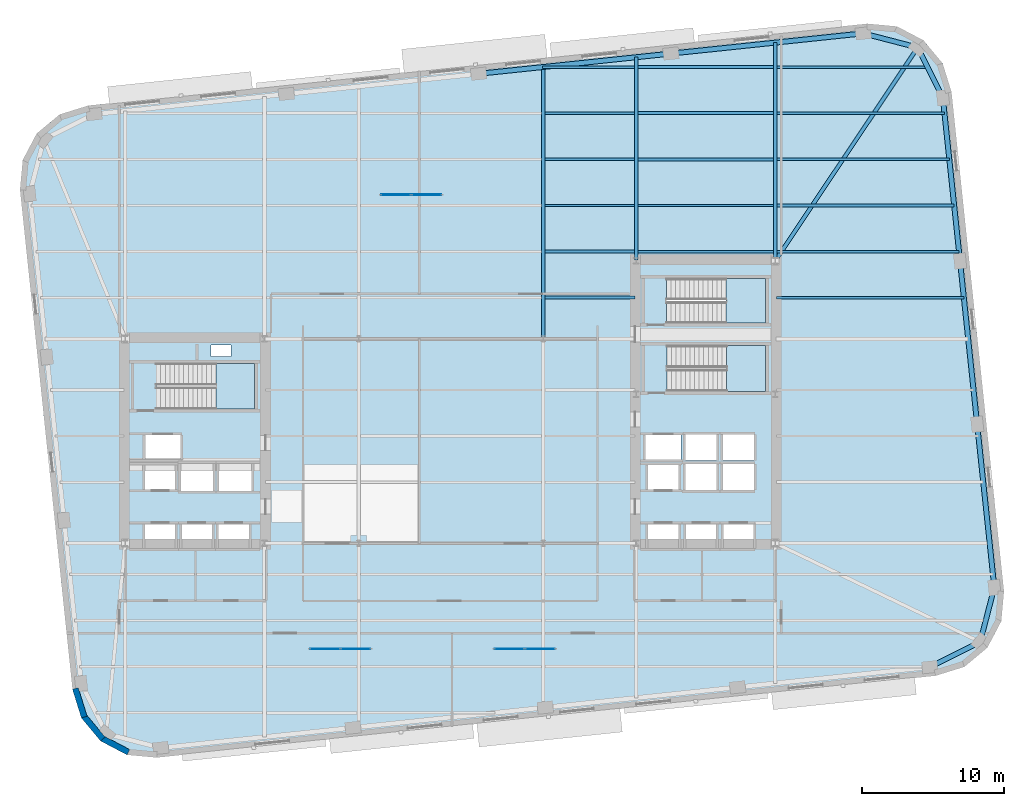
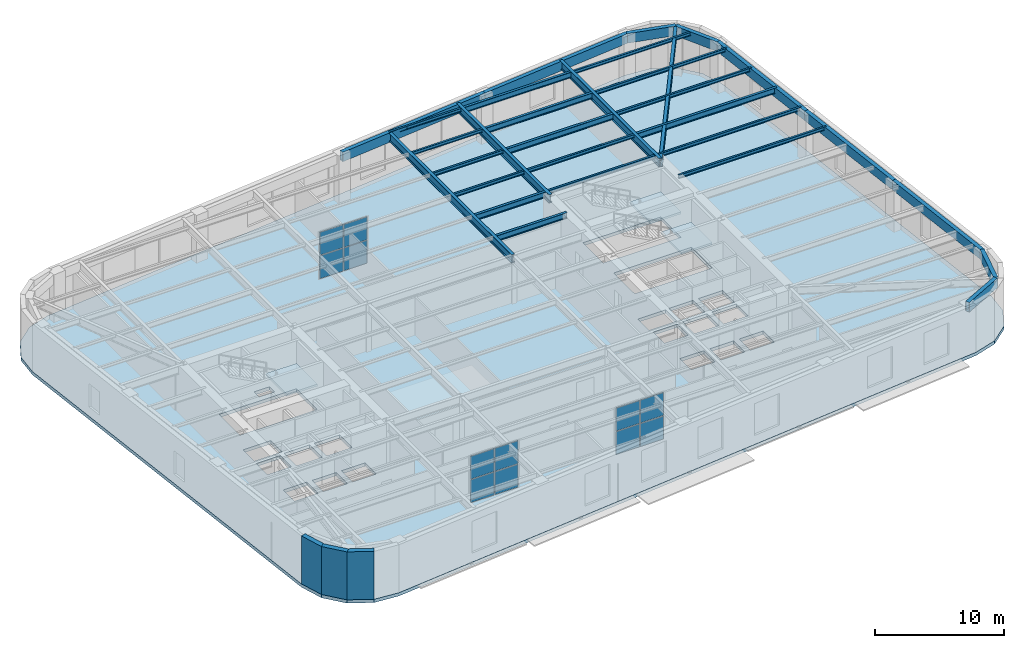
# One storey, part 6 of 14: 30 beams, 12 plates, 4 slabs, 3 walls, 6 elements without a shape of their own.
"""IFC4 building model written with IfcOpenShell, lengths in metres."""

from ifc_helpers import new_model, si_unit, direction, frame, frame_2d, origin, origin_2d, place, context, subcontext, project, spatial, polyline, rectangle, hollow_rectangle, i_section, outline, extrude, material, layer, layer_set, material_profile, profile_set, type_object, element, aggregate, save


model = new_model("IFC4")

# Units and contexts
model_context = context("Model", 3, precision=1e-05, world=origin(), true_north=direction((0.0, 1.0)))
body_context = subcontext(model_context, "Body", "Model", "MODEL_VIEW")
ifc_project = project(units=[si_unit("LENGTHUNIT", "METRE"), si_unit("AREAUNIT", "SQUARE_METRE"), si_unit("VOLUMEUNIT", "CUBIC_METRE"), si_unit("PLANEANGLEUNIT", "RADIAN"), si_unit("MASSUNIT", "GRAM", prefix="KILO")], contexts=[model_context])

# Site, building, storey
site_placement = place(None, origin())
site = spatial("IfcSite", under=ifc_project, at=site_placement, CompositionType="ELEMENT")
building_placement = place(site_placement, origin())
building = spatial("IfcBuilding", under=site, at=building_placement, Name="Kolvaren Arena Tower", CompositionType="ELEMENT")
storey_placement = place(building_placement, frame((0.0, 0.0, 125.949951171875)))
storey = spatial("IfcBuildingStorey", under=building, at=storey_placement, Name="L29", CompositionType="ELEMENT", Elevation=125.949951171875)

# Beams
ifc_material_1 = material(Name="Steel CSA G40.21 350W", Category="steel")
ifc_material_profile_1 = material_profile(ifc_material_1, i_section(OverallWidth=0.2119140625, OverallDepth=0.54296875, WebThickness=0.01318359375, FlangeThickness=0.0244140625, FilletRadius=0.013916015625, at=origin_2d()), Name="W530x150")
ifc_profile_set_1 = profile_set([ifc_material_profile_1], Name="Steel CSA G40.21 350W")
beam_type_1 = type_object("IfcBeamType", Name="BEAM-F1", PredefinedType="BEAM", material=ifc_profile_set_1)
beam_1_placement = place(storey_placement, frame((44.135009765625, 36.75, 4.258544921875), z_axis=(1.0, 0.0, 0.0), x_axis=(0.0, 1.0, 0.0)))
element("IfcBeam", 1, at=beam_1_placement, inside=storey, type_object=beam_type_1, Name="Composite Floor Beam (L29)", PredefinedType="BEAM", context=body_context, shape_type="SweptSolid", body=[
    extrude(i_section(OverallWidth=0.2119140625, OverallDepth=0.54296875, WebThickness=0.01318359375, FlangeThickness=0.0244140625, FilletRadius=0.013916015625, at=origin_2d()), origin(), (0.0, 0.0, 1.0), 6.320068359375),
])
beam_2_placement = place(storey_placement, frame((44.135009765625, 40.0, 4.258544921875), z_axis=(1.0, 0.0, 0.0), x_axis=(0.0, 1.0, 0.0)))
element("IfcBeam", 2, at=beam_2_placement, inside=storey, type_object=beam_type_1, Name="Composite Floor Beam (L29)", PredefinedType="BEAM", context=body_context, shape_type="SweptSolid", body=[
    extrude(i_section(OverallWidth=0.2119140625, OverallDepth=0.54296875, WebThickness=0.01318359375, FlangeThickness=0.0244140625, FilletRadius=0.013916015625, at=origin_2d()), origin(), (0.0, 0.0, 1.0), 6.280029296875),
])
beam_3_placement = place(storey_placement, frame((60.485107421875, 43.25, 4.258544921875), z_axis=(1.0, 0.0, 0.0), x_axis=(0.0, 1.0, 0.0)))
element("IfcBeam", 3, at=beam_3_placement, inside=storey, type_object=beam_type_1, Name="Composite Floor Beam (L29)", PredefinedType="BEAM", context=body_context, shape_type="SweptSolid", body=[
    extrude(i_section(OverallWidth=0.2119140625, OverallDepth=0.54296875, WebThickness=0.01318359375, FlangeThickness=0.0244140625, FilletRadius=0.013916015625, at=origin_2d()), origin(), (0.0, 0.0, 1.0), 12.471435546875),
])
for number, where, z_axis, x_axis, name in (
    (4, (50.68505859375, 46.5, 4.258544921875), (1.0, 0.0, 0.0), (0.0, 1.0, 0.0), "Composite Floor Beam (L29)"),
    (5, (50.68505859375, 49.75, 4.258544921875), (1.0, 0.0, 0.0), (0.0, 1.0, 0.0), "Composite Floor Beam (L29)"),
    (6, (50.68505859375, 53.0, 4.258544921875), (1.0, 0.0, 0.0), (0.0, 1.0, 0.0), "Composite Floor Beam (L29)"),
):
    element("IfcBeam", number, at=place(storey_placement, frame(where, z_axis=z_axis, x_axis=x_axis)), inside=storey, type_object=beam_type_1, Name=name, PredefinedType="BEAM", context=body_context, shape_type="SweptSolid", body=[
        extrude(i_section(OverallWidth=0.2119140625, OverallDepth=0.54296875, WebThickness=0.01318359375, FlangeThickness=0.0244140625, FilletRadius=0.013916015625, at=origin_2d()), origin(), (0.0, 0.0, 1.0), 9.530029296875),
    ])
ifc_material_profile_2 = material_profile(ifc_material_1, i_section(OverallWidth=0.27001953125, OverallDepth=0.77294921875, WebThickness=0.019287109375, FlangeThickness=0.033447265625, FilletRadius=0.01806640625, at=origin_2d()), Name="W760x257")
ifc_profile_set_2 = profile_set([ifc_material_profile_2], Name="Steel CSA G40.21 350W")
beam_type_2 = type_object("IfcBeamType", Name="GIRD-T1", PredefinedType="BEAM", material=ifc_profile_set_2)
beam_4_placement = place(storey_placement, frame((70.387939453125, 54.37939453125, 4.1435546875), z_axis=(-0.555401401293, -0.831582397266, 0.0), x_axis=(0.831582397266, -0.555401401293, 0.0)))
element("IfcBeam", 7, at=beam_4_placement, inside=storey, type_object=beam_type_2, Name="Corner Diagonal Tie Girder (L29)", PredefinedType="BEAM", context=body_context, shape_type="SweptSolid", body=[
    extrude(i_section(OverallWidth=0.27001953125, OverallDepth=0.77294921875, WebThickness=0.019287109375, FlangeThickness=0.033447265625, FilletRadius=0.01806640625, at=origin_2d()), origin(), (0.0, 0.0, 1.0), 18.0732421875),
])
beam_5_placement = place(storey_placement, frame((44.0, 33.85009765625, 4.1435546875), z_axis=(0.0, 1.0, 0.0), x_axis=(-1.0, 0.0, 0.0)))
element("IfcBeam", 8, at=beam_5_placement, inside=storey, type_object=beam_type_2, Name="Primary Floor Girder (L29)", PredefinedType="BEAM", context=body_context, shape_type="SweptSolid", body=[
    extrude(i_section(OverallWidth=0.27001953125, OverallDepth=0.77294921875, WebThickness=0.019287109375, FlangeThickness=0.033447265625, FilletRadius=0.01806640625, at=origin_2d()), origin(), (0.0, 0.0, 1.0), 19.15478515625),
])
beam_6_placement = place(storey_placement, frame((50.550048828125, 39.405029296875, 4.1435546875), z_axis=(0.0, 1.0, 0.0), x_axis=(-1.0, 0.0, 0.0)))
element("IfcBeam", 9, at=beam_6_placement, inside=storey, type_object=beam_type_2, Name="Primary Floor Girder (L29)", PredefinedType="BEAM", context=body_context, shape_type="SweptSolid", body=[
    extrude(i_section(OverallWidth=0.27001953125, OverallDepth=0.77294921875, WebThickness=0.019287109375, FlangeThickness=0.033447265625, FilletRadius=0.01806640625, at=origin_2d()), origin(), (0.0, 0.0, 1.0), 14.288330078125),
])
beam_7_placement = place(storey_placement, frame((60.35009765625, 39.405029296875, 4.1435546875), z_axis=(0.0, 1.0, 0.0), x_axis=(-1.0, 0.0, 0.0)))
element("IfcBeam", 10, at=beam_7_placement, inside=storey, type_object=beam_type_2, Name="Primary Floor Girder (L29)", PredefinedType="BEAM", context=body_context, shape_type="SweptSolid", body=[
    extrude(i_section(OverallWidth=0.27001953125, OverallDepth=0.77294921875, WebThickness=0.019287109375, FlangeThickness=0.033447265625, FilletRadius=0.01806640625, at=origin_2d()), origin(), (0.0, 0.0, 1.0), 15.318359375),
])
ifc_material_profile_3 = material_profile(ifc_material_1, i_section(OverallWidth=0.1669921875, OverallDepth=0.31689453125, WebThickness=0.007568359375, FlangeThickness=0.01318359375, FilletRadius=0.010009765625, at=origin_2d()), Name="W310x52")
ifc_profile_set_3 = profile_set([ifc_material_profile_3], Name="Steel CSA G40.21 350W")
beam_type_3 = type_object("IfcBeamType", Name="JOIST-02", PredefinedType="JOIST", material=ifc_profile_set_3)
beam_8_placement = place(storey_placement, frame((60.445068359375, 36.75, 4.37158203125), z_axis=(1.0, 0.0, 0.0), x_axis=(0.0, 1.0, 0.0)))
element("IfcBeam", 11, at=beam_8_placement, inside=storey, type_object=beam_type_3, Name="Composite Floor Joist (L29)", PredefinedType="JOIST", context=body_context, shape_type="SweptSolid", body=[
    extrude(i_section(OverallWidth=0.1669921875, OverallDepth=0.31689453125, WebThickness=0.007568359375, FlangeThickness=0.01318359375, FilletRadius=0.010009765625, at=origin_2d()), origin(), (0.0, 0.0, 1.0), 13.19482421875),
])
beam_9_placement = place(storey_placement, frame((50.68505859375, 40.0, 4.37158203125), z_axis=(1.0, 0.0, 0.0), x_axis=(0.0, 1.0, 0.0)))
element("IfcBeam", 12, at=beam_9_placement, inside=storey, type_object=beam_type_3, Name="Composite Floor Joist (L29)", PredefinedType="JOIST", context=body_context, shape_type="SweptSolid", body=[
    extrude(i_section(OverallWidth=0.1669921875, OverallDepth=0.31689453125, WebThickness=0.007568359375, FlangeThickness=0.01318359375, FilletRadius=0.010009765625, at=origin_2d()), origin(), (0.0, 0.0, 1.0), 9.530029296875),
])
beam_10_placement = place(storey_placement, frame((60.485107421875, 40.0, 4.37158203125), z_axis=(1.0, 0.0, 0.0), x_axis=(0.0, 1.0, 0.0)))
element("IfcBeam", 13, at=beam_10_placement, inside=storey, type_object=beam_type_3, Name="Composite Floor Joist (L29)", PredefinedType="JOIST", context=body_context, shape_type="SweptSolid", body=[
    extrude(i_section(OverallWidth=0.1669921875, OverallDepth=0.31689453125, WebThickness=0.007568359375, FlangeThickness=0.01318359375, FilletRadius=0.010009765625, at=origin_2d()), origin(), (0.0, 0.0, 1.0), 12.81298828125),
])
beam_11_placement = place(storey_placement, frame((44.135009765625, 43.25, 4.37158203125), z_axis=(1.0, 0.0, 0.0), x_axis=(0.0, 1.0, 0.0)))
element("IfcBeam", 14, at=beam_11_placement, inside=storey, type_object=beam_type_3, Name="Composite Floor Joist (L29)", PredefinedType="JOIST", context=body_context, shape_type="SweptSolid", body=[
    extrude(i_section(OverallWidth=0.1669921875, OverallDepth=0.31689453125, WebThickness=0.007568359375, FlangeThickness=0.01318359375, FilletRadius=0.010009765625, at=origin_2d()), origin(), (0.0, 0.0, 1.0), 6.280029296875),
])
beam_12_placement = place(storey_placement, frame((50.68505859375, 43.25, 4.37158203125), z_axis=(1.0, 0.0, 0.0), x_axis=(0.0, 1.0, 0.0)))
element("IfcBeam", 15, at=beam_12_placement, inside=storey, type_object=beam_type_3, Name="Composite Floor Joist (L29)", PredefinedType="JOIST", context=body_context, shape_type="SweptSolid", body=[
    extrude(i_section(OverallWidth=0.1669921875, OverallDepth=0.31689453125, WebThickness=0.007568359375, FlangeThickness=0.01318359375, FilletRadius=0.010009765625, at=origin_2d()), origin(), (0.0, 0.0, 1.0), 9.530029296875),
])
beam_13_placement = place(storey_placement, frame((44.135009765625, 46.5, 4.37158203125), z_axis=(1.0, 0.0, 0.0), x_axis=(0.0, 1.0, 0.0)))
element("IfcBeam", 16, at=beam_13_placement, inside=storey, type_object=beam_type_3, Name="Composite Floor Joist (L29)", PredefinedType="JOIST", context=body_context, shape_type="SweptSolid", body=[
    extrude(i_section(OverallWidth=0.1669921875, OverallDepth=0.31689453125, WebThickness=0.007568359375, FlangeThickness=0.01318359375, FilletRadius=0.010009765625, at=origin_2d()), origin(), (0.0, 0.0, 1.0), 6.280029296875),
])
beam_14_placement = place(storey_placement, frame((60.485107421875, 46.5, 4.37158203125), z_axis=(1.0, 0.0, 0.0), x_axis=(0.0, 1.0, 0.0)))
element("IfcBeam", 17, at=beam_14_placement, inside=storey, type_object=beam_type_3, Name="Composite Floor Joist (L29)", PredefinedType="JOIST", context=body_context, shape_type="SweptSolid", body=[
    extrude(i_section(OverallWidth=0.1669921875, OverallDepth=0.31689453125, WebThickness=0.007568359375, FlangeThickness=0.01318359375, FilletRadius=0.010009765625, at=origin_2d()), origin(), (0.0, 0.0, 1.0), 12.1298828125),
])
beam_15_placement = place(storey_placement, frame((44.135009765625, 49.75, 4.37158203125), z_axis=(1.0, 0.0, 0.0), x_axis=(0.0, 1.0, 0.0)))
element("IfcBeam", 18, at=beam_15_placement, inside=storey, type_object=beam_type_3, Name="Composite Floor Joist (L29)", PredefinedType="JOIST", context=body_context, shape_type="SweptSolid", body=[
    extrude(i_section(OverallWidth=0.1669921875, OverallDepth=0.31689453125, WebThickness=0.007568359375, FlangeThickness=0.01318359375, FilletRadius=0.010009765625, at=origin_2d()), origin(), (0.0, 0.0, 1.0), 6.280029296875),
])
beam_16_placement = place(storey_placement, frame((60.485107421875, 49.75, 4.37158203125), z_axis=(1.0, 0.0, 0.0), x_axis=(0.0, 1.0, 0.0)))
element("IfcBeam", 19, at=beam_16_placement, inside=storey, type_object=beam_type_3, Name="Composite Floor Joist (L29)", PredefinedType="JOIST", context=body_context, shape_type="SweptSolid", body=[
    extrude(i_section(OverallWidth=0.1669921875, OverallDepth=0.31689453125, WebThickness=0.007568359375, FlangeThickness=0.01318359375, FilletRadius=0.010009765625, at=origin_2d()), origin(), (0.0, 0.0, 1.0), 11.788330078125),
])
beam_17_placement = place(storey_placement, frame((43.95361328125, 53.0, 4.37158203125), z_axis=(1.0, 0.0, 0.0), x_axis=(0.0, 1.0, 0.0)))
element("IfcBeam", 20, at=beam_17_placement, inside=storey, type_object=beam_type_3, Name="Composite Floor Joist (L29)", PredefinedType="JOIST", context=body_context, shape_type="SweptSolid", body=[
    extrude(i_section(OverallWidth=0.1669921875, OverallDepth=0.31689453125, WebThickness=0.007568359375, FlangeThickness=0.01318359375, FilletRadius=0.010009765625, at=origin_2d()), origin(), (0.0, 0.0, 1.0), 6.46142578125),
])
beam_18_placement = place(storey_placement, frame((60.485107421875, 53.0, 4.37158203125), z_axis=(1.0, 0.0, 0.0), x_axis=(0.0, 1.0, 0.0)))
element("IfcBeam", 21, at=beam_18_placement, inside=storey, type_object=beam_type_3, Name="Composite Floor Joist (L29)", PredefinedType="JOIST", context=body_context, shape_type="SweptSolid", body=[
    extrude(i_section(OverallWidth=0.1669921875, OverallDepth=0.31689453125, WebThickness=0.007568359375, FlangeThickness=0.01318359375, FilletRadius=0.010009765625, at=origin_2d()), origin(), (0.0, 0.0, 1.0), 10.592529296875),
])
ifc_material_2 = material(Name="Steel CSA G40.21 350WT", Category="steel")
ifc_material_profile_4 = material_profile(ifc_material_2, hollow_rectangle(XDim=0.35009765625, YDim=0.89990234375, WallThickness=0.02001953125, at=origin_2d()), Name="HSS 900x350x20")
ifc_profile_set_4 = profile_set([ifc_material_profile_4], Name="Steel CSA G40.21 350WT")
beam_type_4 = type_object("IfcBeamType", Name="SPAND-01", PredefinedType="SPANDREL", material=ifc_profile_set_4)
for number, where, z_axis, x_axis, name in (
    (22, (71.247314453125, 10.721435546875, 4.080078125), (0.894451843771, 0.44716428656, 0.0), (-0.44716428656, 0.894451843771, 0.0), "Perimeter Spandrel Beam (L29)"),
    (23, (74.790283203125, 12.49267578125, 4.080078125), (0.251473350892, 0.967864222808, 0.0), (-0.967864222808, 0.251473350892, 0.0), "Perimeter Spandrel Beam (L29)"),
):
    element("IfcBeam", number, at=place(storey_placement, frame(where, z_axis=z_axis, x_axis=x_axis)), inside=storey, type_object=beam_type_4, Name=name, PredefinedType="SPANDREL", context=body_context, shape_type="SweptSolid", body=[
        extrude(hollow_rectangle(XDim=0.35009765625, YDim=0.89990234375, WallThickness=0.02001953125, at=origin_2d()), origin(), (0.0, 0.0, 1.0), 3.9609375),
    ])
beam_19_placement = place(storey_placement, frame((75.786376953125, 16.326416015625, 4.080078125), z_axis=(-0.104522171998, 0.994522556587, 0.0), x_axis=(-0.994522556587, -0.104522171998, 0.0)))
element("IfcBeam", 24, at=beam_19_placement, inside=storey, type_object=beam_type_4, Name="Perimeter Spandrel Beam (L29)", PredefinedType="SPANDREL", context=body_context, shape_type="SweptSolid", body=[
    extrude(hollow_rectangle(XDim=0.35009765625, YDim=0.89990234375, WallThickness=0.02001953125, at=origin_2d()), origin(), (0.0, 0.0, 1.0), 11.56689453125),
])
beam_20_placement = place(storey_placement, frame((74.577392578125, 27.829833984375, 4.080078125), z_axis=(-0.104524366116, 0.994522325988, 0.0), x_axis=(-0.994522325988, -0.104524366116, 0.0)))
element("IfcBeam", 25, at=beam_20_placement, inside=storey, type_object=beam_type_4, Name="Perimeter Spandrel Beam (L29)", PredefinedType="SPANDREL", context=body_context, shape_type="SweptSolid", body=[
    extrude(hollow_rectangle(XDim=0.35009765625, YDim=0.89990234375, WallThickness=0.02001953125, at=origin_2d()), origin(), (0.0, 0.0, 1.0), 11.566650390625),
])
beam_21_placement = place(storey_placement, frame((73.368408203125, 39.3330078125, 4.080078125), z_axis=(-0.104543048399, 0.994520362301, 0.0), x_axis=(-0.994520362301, -0.104543048399, 0.0)))
element("IfcBeam", 26, at=beam_21_placement, inside=storey, type_object=beam_type_4, Name="Perimeter Spandrel Beam (L29)", PredefinedType="SPANDREL", context=body_context, shape_type="SweptSolid", body=[
    extrude(hollow_rectangle(XDim=0.35009765625, YDim=0.89990234375, WallThickness=0.02001953125, at=origin_2d()), origin(), (0.0, 0.0, 1.0), 11.56689453125),
])
for number, where, z_axis, x_axis, name in (
    (27, (72.1591796875, 50.83642578125, 4.080078125), (-0.44716428656, 0.894451843771, 0.0), (-0.894451843771, -0.44716428656, 0.0), "Perimeter Spandrel Beam (L29)"),
    (28, (70.387939453125, 54.37939453125, 4.080078125), (-0.967864222808, 0.251473350892, 0.0), (-0.251473350892, -0.967864222808, 0.0), "Perimeter Spandrel Beam (L29)"),
):
    element("IfcBeam", number, at=place(storey_placement, frame(where, z_axis=z_axis, x_axis=x_axis)), inside=storey, type_object=beam_type_4, Name=name, PredefinedType="SPANDREL", context=body_context, shape_type="SweptSolid", body=[
        extrude(hollow_rectangle(XDim=0.35009765625, YDim=0.89990234375, WallThickness=0.02001953125, at=origin_2d()), origin(), (0.0, 0.0, 1.0), 3.9609375),
    ])
beam_22_placement = place(storey_placement, frame((66.55419921875, 55.37548828125, 4.080078125), z_axis=(-0.994521150946, -0.104535545729, 0.0), x_axis=(0.104535545729, -0.994521150946, 0.0)))
element("IfcBeam", 29, at=beam_22_placement, inside=storey, type_object=beam_type_4, Name="Perimeter Spandrel Beam (L29)", PredefinedType="SPANDREL", context=body_context, shape_type="SweptSolid", body=[
    extrude(hollow_rectangle(XDim=0.35009765625, YDim=0.89990234375, WallThickness=0.02001953125, at=origin_2d()), origin(), (0.0, 0.0, 1.0), 13.625244140625),
])
beam_23_placement = place(storey_placement, frame((53.003662109375, 53.951171875, 4.080078125), z_axis=(-0.994522817887, -0.104519685718, 0.0), x_axis=(0.104519685718, -0.994522817887, 0.0)))
element("IfcBeam", 30, at=beam_23_placement, inside=storey, type_object=beam_type_4, Name="Perimeter Spandrel Beam (L29)", PredefinedType="SPANDREL", context=body_context, shape_type="SweptSolid", body=[
    extrude(hollow_rectangle(XDim=0.35009765625, YDim=0.89990234375, WallThickness=0.02001953125, at=origin_2d()), origin(), (0.0, 0.0, 1.0), 13.625),
])

# Curtain wall, plates
ifc_material_3 = material(Name="Anodised aluminium unitised curtain wall", Category="aluminium")
curtain_wall_type = type_object("IfcCurtainWallType", Name="CW-SYS-03", PredefinedType="USERDEFINED", material=ifc_material_3)
curtain_wall_1_placement = place(storey_placement, origin())
curtain_wall_1 = element("IfcCurtainWall", 31, at=curtain_wall_1_placement, inside=storey, type_object=curtain_wall_type, Name="Sky Lobby Feature Curtain Wall (L29)", ObjectType="UNITISED CURTAIN WALL", PredefinedType="USERDEFINED")
ifc_material_4 = material(Name="Triple-silver low-E insulated glazing unit", Category="glass")
ifc_layer_1 = layer(ifc_material_4, 0.0439453125)
ifc_layer_set_1 = layer_set([ifc_layer_1], Name="Triple-silver low-E insulated glazing unit")
plate_type = type_object("IfcPlateType", Name="CWP-VIS1", PredefinedType="CURTAIN_PANEL", material=ifc_layer_set_1)
plate_1_placement = place(storey_placement, frame((28.6201171875, 12.0, 0.080078125), z_axis=(0.0, 0.0, 1.0), x_axis=(1.0, 0.0, 0.0)))
plate_1 = element("IfcPlate", 32, at=plate_1_placement, type_object=plate_type, Name="CW3 panel 1.1", PredefinedType="CURTAIN_PANEL", context=body_context, shape_type="SweptSolid", body=[
    extrude(rectangle(XDim=2.080078125, YDim=0.0439453125, at=origin_2d()), origin(), (0.0, 0.0, 1.0), 2.14501953125),
])
plate_2_placement = place(storey_placement, frame((28.6201171875, 12.0, 2.304931640625), z_axis=(0.0, 0.0, 1.0), x_axis=(1.0, 0.0, 0.0)))
plate_2 = element("IfcPlate", 33, at=plate_2_placement, type_object=plate_type, Name="CW3 panel 1.2", PredefinedType="CURTAIN_PANEL", context=body_context, shape_type="SweptSolid", body=[
    extrude(rectangle(XDim=2.080078125, YDim=0.0439453125, at=origin_2d()), origin(), (0.0, 0.0, 1.0), 2.14501953125),
])
plate_3_placement = place(storey_placement, frame((30.780029296875, 12.0, 0.080078125), z_axis=(0.0, 0.0, 1.0), x_axis=(1.0, 0.0, 0.0)))
plate_3 = element("IfcPlate", 34, at=plate_3_placement, type_object=plate_type, Name="CW3 panel 2.1", PredefinedType="CURTAIN_PANEL", context=body_context, shape_type="SweptSolid", body=[
    extrude(rectangle(XDim=2.080078125, YDim=0.0439453125, at=origin_2d()), origin(), (0.0, 0.0, 1.0), 2.14501953125),
])
plate_4_placement = place(storey_placement, frame((30.780029296875, 12.0, 2.304931640625), z_axis=(0.0, 0.0, 1.0), x_axis=(1.0, 0.0, 0.0)))
plate_4 = element("IfcPlate", 35, at=plate_4_placement, type_object=plate_type, Name="CW3 panel 2.2", PredefinedType="CURTAIN_PANEL", context=body_context, shape_type="SweptSolid", body=[
    extrude(rectangle(XDim=2.080078125, YDim=0.0439453125, at=origin_2d()), origin(), (0.0, 0.0, 1.0), 2.14501953125),
])
aggregate(curtain_wall_1, [plate_1, plate_2, plate_3, plate_4])

curtain_wall_2_placement = place(storey_placement, origin())
curtain_wall_2 = element("IfcCurtainWall", 36, at=curtain_wall_2_placement, inside=storey, type_object=curtain_wall_type, Name="Sky Lobby Feature Curtain Wall (L29)", ObjectType="UNITISED CURTAIN WALL", PredefinedType="USERDEFINED")
plate_5_placement = place(storey_placement, frame((41.6201171875, 12.0, 0.080078125), z_axis=(0.0, 0.0, 1.0), x_axis=(1.0, 0.0, 0.0)))
plate_5 = element("IfcPlate", 37, at=plate_5_placement, type_object=plate_type, Name="CW3 panel 1.1", PredefinedType="CURTAIN_PANEL", context=body_context, shape_type="SweptSolid", body=[
    extrude(rectangle(XDim=2.080078125, YDim=0.0439453125, at=origin_2d()), origin(), (0.0, 0.0, 1.0), 2.14501953125),
])
plate_6_placement = place(storey_placement, frame((41.6201171875, 12.0, 2.304931640625), z_axis=(0.0, 0.0, 1.0), x_axis=(1.0, 0.0, 0.0)))
plate_6 = element("IfcPlate", 38, at=plate_6_placement, type_object=plate_type, Name="CW3 panel 1.2", PredefinedType="CURTAIN_PANEL", context=body_context, shape_type="SweptSolid", body=[
    extrude(rectangle(XDim=2.080078125, YDim=0.0439453125, at=origin_2d()), origin(), (0.0, 0.0, 1.0), 2.14501953125),
])
plate_7_placement = place(storey_placement, frame((43.780029296875, 12.0, 0.080078125), z_axis=(0.0, 0.0, 1.0), x_axis=(1.0, 0.0, 0.0)))
plate_7 = element("IfcPlate", 39, at=plate_7_placement, type_object=plate_type, Name="CW3 panel 2.1", PredefinedType="CURTAIN_PANEL", context=body_context, shape_type="SweptSolid", body=[
    extrude(rectangle(XDim=2.080078125, YDim=0.0439453125, at=origin_2d()), origin(), (0.0, 0.0, 1.0), 2.14501953125),
])
plate_8_placement = place(storey_placement, frame((43.780029296875, 12.0, 2.304931640625), z_axis=(0.0, 0.0, 1.0), x_axis=(1.0, 0.0, 0.0)))
plate_8 = element("IfcPlate", 40, at=plate_8_placement, type_object=plate_type, Name="CW3 panel 2.2", PredefinedType="CURTAIN_PANEL", context=body_context, shape_type="SweptSolid", body=[
    extrude(rectangle(XDim=2.080078125, YDim=0.0439453125, at=origin_2d()), origin(), (0.0, 0.0, 1.0), 2.14501953125),
])
aggregate(curtain_wall_2, [plate_5, plate_6, plate_7, plate_8])

curtain_wall_3_placement = place(storey_placement, origin())
curtain_wall_3 = element("IfcCurtainWall", 41, at=curtain_wall_3_placement, inside=storey, type_object=curtain_wall_type, Name="Sky Lobby Feature Curtain Wall (L29)", ObjectType="UNITISED CURTAIN WALL", PredefinedType="USERDEFINED")
plate_9_placement = place(storey_placement, frame((33.6201171875, 44.0, 0.080078125), z_axis=(0.0, 0.0, 1.0), x_axis=(1.0, 0.0, 0.0)))
plate_9 = element("IfcPlate", 42, at=plate_9_placement, type_object=plate_type, Name="CW3 panel 1.1", PredefinedType="CURTAIN_PANEL", context=body_context, shape_type="SweptSolid", body=[
    extrude(rectangle(XDim=2.080078125, YDim=0.0439453125, at=origin_2d()), origin(), (0.0, 0.0, 1.0), 2.14501953125),
])
plate_10_placement = place(storey_placement, frame((33.6201171875, 44.0, 2.304931640625), z_axis=(0.0, 0.0, 1.0), x_axis=(1.0, 0.0, 0.0)))
plate_10 = element("IfcPlate", 43, at=plate_10_placement, type_object=plate_type, Name="CW3 panel 1.2", PredefinedType="CURTAIN_PANEL", context=body_context, shape_type="SweptSolid", body=[
    extrude(rectangle(XDim=2.080078125, YDim=0.0439453125, at=origin_2d()), origin(), (0.0, 0.0, 1.0), 2.14501953125),
])
plate_11_placement = place(storey_placement, frame((35.780029296875, 44.0, 0.080078125), z_axis=(0.0, 0.0, 1.0), x_axis=(1.0, 0.0, 0.0)))
plate_11 = element("IfcPlate", 44, at=plate_11_placement, type_object=plate_type, Name="CW3 panel 2.1", PredefinedType="CURTAIN_PANEL", context=body_context, shape_type="SweptSolid", body=[
    extrude(rectangle(XDim=2.080078125, YDim=0.0439453125, at=origin_2d()), origin(), (0.0, 0.0, 1.0), 2.14501953125),
])
plate_12_placement = place(storey_placement, frame((35.780029296875, 44.0, 2.304931640625), z_axis=(0.0, 0.0, 1.0), x_axis=(1.0, 0.0, 0.0)))
plate_12 = element("IfcPlate", 45, at=plate_12_placement, type_object=plate_type, Name="CW3 panel 2.2", PredefinedType="CURTAIN_PANEL", context=body_context, shape_type="SweptSolid", body=[
    extrude(rectangle(XDim=2.080078125, YDim=0.0439453125, at=origin_2d()), origin(), (0.0, 0.0, 1.0), 2.14501953125),
])
aggregate(curtain_wall_3, [plate_9, plate_10, plate_11, plate_12])

# Stair, slab
ifc_material_5 = material(Name="Concrete 45 MPa", Category="concrete")
stair_type_1 = type_object("IfcStairType", Name="STAIR-CORE-165", PredefinedType="HALF_TURN_STAIR", material=ifc_material_5)
stair_1_placement = place(storey_placement, origin())
stair_1 = element("IfcStair", 46, at=stair_1_placement, inside=storey, type_object=stair_type_1, Name="L29 ST-W1", PredefinedType="HALF_TURN_STAIR")
ifc_layer_2 = layer(ifc_material_5, 0.199951171875)
ifc_layer_set_2 = layer_set([ifc_layer_2], Name="Concrete 45 MPa")
slab_type_1 = type_object("IfcSlabType", Name="SLAB-LAND", PredefinedType="LANDING", material=ifc_layer_set_2)
slab_1_placement = place(storey_placement, frame((0.0, 0.0, 2.199951171875)))
slab_1 = element("IfcSlab", 47, at=slab_1_placement, type_object=slab_type_1, Name="ST-W1 landing 1", PredefinedType="LANDING", context=body_context, shape_type="SweptSolid", body=[
    extrude(outline(polyline([(20.931884765625, 28.89990234375), (23.659912109375, 28.89990234375), (23.659912109375, 32.1298828125), (20.931884765625, 32.1298828125), (20.931884765625, 28.89990234375)])), origin(), (0.0, 0.0, 1.0), 0.2001953125),
])
aggregate(stair_1, [slab_1])

stair_2_placement = place(storey_placement, origin())
stair_2 = element("IfcStair", 48, at=stair_2_placement, inside=storey, type_object=stair_type_1, Name="L29 ST-E1", PredefinedType="HALF_TURN_STAIR")
slab_2_placement = place(storey_placement, frame((0.0, 0.0, 2.199951171875)))
slab_2 = element("IfcSlab", 49, at=slab_2_placement, type_object=slab_type_1, Name="ST-E1 landing 1", PredefinedType="LANDING", context=body_context, shape_type="SweptSolid", body=[
    extrude(outline(polyline([(56.931884765625, 30.14990234375), (59.659912109375, 30.14990234375), (59.659912109375, 33.3798828125), (56.931884765625, 33.3798828125), (56.931884765625, 30.14990234375)])), origin(), (0.0, 0.0, 1.0), 0.2001953125),
])
aggregate(stair_2, [slab_2])

stair_type_2 = type_object("IfcStairType", Name="STAIR-CORE-150", PredefinedType="HALF_TURN_STAIR", material=ifc_material_5)
stair_3_placement = place(storey_placement, origin())
stair_3 = element("IfcStair", 50, at=stair_3_placement, inside=storey, type_object=stair_type_2, Name="L29 ST-E2", PredefinedType="HALF_TURN_STAIR")
slab_3_placement = place(storey_placement, frame((0.0, 0.0, 2.199951171875)))
slab_3 = element("IfcSlab", 51, at=slab_3_placement, type_object=slab_type_1, Name="ST-E2 landing 1", PredefinedType="LANDING", context=body_context, shape_type="SweptSolid", body=[
    extrude(outline(polyline([(56.89208984375, 34.949951171875), (59.659912109375, 34.949951171875), (59.659912109375, 38.10009765625), (56.89208984375, 38.10009765625), (56.89208984375, 34.949951171875)])), origin(), (0.0, 0.0, 1.0), 0.2001953125),
])
aggregate(stair_3, [slab_3])

# Slab
ifc_layer_3 = layer(ifc_material_5, 0.31005859375)
ifc_layer_set_3 = layer_set([ifc_layer_3], Name="Concrete 45 MPa")
slab_type_2 = type_object("IfcSlabType", Name="SLAB-OFF1", PredefinedType="FLOOR", material=ifc_layer_set_3)
slab_4_placement = place(storey_placement, frame((0.0, 0.0, -0.31005859375)))
element("IfcSlab", 52, at=slab_4_placement, inside=storey, type_object=slab_type_2, Name="L29 Primary Structural Slab", PredefinedType="FLOOR", context=body_context, shape_type="SweptSolid", body=[
    extrude(outline(polyline([(71.663330078125, 10.111572265625), (73.675537109375, 10.736328125), (75.29541015625, 12.08349609375), (76.276611328125, 13.9482421875), (76.469482421875, 16.04638671875), (72.76904296875, 51.25244140625), (72.144287109375, 53.2646484375), (70.797119140625, 54.884521484375), (68.932373046875, 55.865478515625), (66.834228515625, 56.058349609375), (11.9365234375, 50.28857421875), (9.92431640625, 49.663818359375), (8.304443359375, 48.31640625), (7.323486328125, 46.45166015625), (7.130615234375, 44.353515625), (10.830810546875, 9.1474609375), (11.455810546875, 7.13525390625), (12.802978515625, 5.515380859375), (14.667724609375, 4.534423828125), (16.765869140625, 4.341552734375), (71.663330078125, 10.111572265625)]), holes=[polyline([(15.93505859375, 19.0849609375), (15.93505859375, 20.81494140625), (18.06494140625, 20.81494140625), (18.06494140625, 19.0849609375), (15.93505859375, 19.0849609375)]), polyline([(18.534912109375, 19.0849609375), (18.534912109375, 20.81494140625), (20.6650390625, 20.81494140625), (20.6650390625, 19.0849609375), (18.534912109375, 19.0849609375)]), polyline([(21.135009765625, 19.0849609375), (21.135009765625, 20.81494140625), (23.264892578125, 20.81494140625), (23.264892578125, 19.0849609375), (21.135009765625, 19.0849609375)]), polyline([(51.39501953125, 19.0849609375), (51.39501953125, 20.81494140625), (53.52490234375, 20.81494140625), (53.52490234375, 19.0849609375), (51.39501953125, 19.0849609375)]), polyline([(54.054931640625, 19.0849609375), (54.054931640625, 20.81494140625), (56.18505859375, 20.81494140625), (56.18505859375, 19.0849609375), (54.054931640625, 19.0849609375)]), polyline([(56.695068359375, 19.0849609375), (56.695068359375, 20.81494140625), (58.824951171875, 20.81494140625), (58.824951171875, 19.0849609375), (56.695068359375, 19.0849609375)]), polyline([(18.4599609375, 25.06494140625), (20.739990234375, 25.06494140625), (20.739990234375, 23.135009765625), (18.4599609375, 23.135009765625), (18.4599609375, 25.06494140625)]), polyline([(21.159912109375, 23.135009765625), (21.159912109375, 25.06494140625), (23.43994140625, 25.06494140625), (23.43994140625, 23.135009765625), (21.159912109375, 23.135009765625)]), polyline([(54.030029296875, 25.014892578125), (56.2099609375, 25.014892578125), (56.2099609375, 23.18505859375), (54.030029296875, 23.18505859375), (54.030029296875, 25.014892578125)]), polyline([(56.669921875, 25.014892578125), (58.85009765625, 25.014892578125), (58.85009765625, 23.18505859375), (56.669921875, 23.18505859375), (56.669921875, 25.014892578125)]), polyline([(15.93505859375, 24.965087890625), (18.06494140625, 24.965087890625), (18.06494140625, 23.235107421875), (15.93505859375, 23.235107421875), (15.93505859375, 24.965087890625)]), polyline([(51.39501953125, 23.235107421875), (51.39501953125, 24.965087890625), (53.52490234375, 24.965087890625), (53.52490234375, 23.235107421875), (51.39501953125, 23.235107421875)]), polyline([(54.030029296875, 25.284912109375), (54.030029296875, 27.114990234375), (56.2099609375, 27.114990234375), (56.2099609375, 25.284912109375), (54.030029296875, 25.284912109375)]), polyline([(56.669921875, 25.284912109375), (56.669921875, 27.114990234375), (58.85009765625, 27.114990234375), (58.85009765625, 25.284912109375), (56.669921875, 25.284912109375)]), polyline([(15.9599609375, 25.3349609375), (15.9599609375, 27.06494140625), (18.43994140625, 27.06494140625), (18.43994140625, 25.3349609375), (15.9599609375, 25.3349609375)]), polyline([(51.219970703125, 25.3349609375), (51.219970703125, 27.06494140625), (53.699951171875, 27.06494140625), (53.699951171875, 25.3349609375), (51.219970703125, 25.3349609375)]), polyline([(16.735107421875, 32.1298828125), (23.659912109375, 32.1298828125), (23.659912109375, 28.89990234375), (16.735107421875, 28.89990234375), (16.735107421875, 32.1298828125)]), polyline([(52.735107421875, 33.3798828125), (59.659912109375, 33.3798828125), (59.659912109375, 30.14990234375), (52.735107421875, 30.14990234375), (52.735107421875, 33.3798828125)]), polyline([(20.60009765625, 33.39990234375), (22.0, 33.39990234375), (22.0, 32.6201171875), (20.60009765625, 32.6201171875), (20.60009765625, 33.39990234375)]), polyline([(52.695068359375, 38.10009765625), (59.659912109375, 38.10009765625), (59.659912109375, 34.949951171875), (52.695068359375, 34.949951171875), (52.695068359375, 38.10009765625)])]), origin(), (0.0, 0.0, 1.0), 0.31005859375),
])

# Walls
ifc_material_6 = material(Name="Precast concrete C50/60", Category="concrete")
ifc_layer_4 = layer(ifc_material_6, 0.419921875)
ifc_layer_set_4 = layer_set([ifc_layer_4], Name="Precast concrete C50/60")
wall_type = type_object("IfcWallType", Name="EXT-PIER1", PredefinedType="SOLIDWALL", material=ifc_layer_set_4)
for number, where, z_axis, x_axis, name in (
    (53, (11.65625, 7.197509765625, 0.0), (0.0, 0.0, 1.0), (-0.296519484366, 0.955026803494, 0.0), "Exterior Precast Masonry-Frame Wall (L29)"),
    (54, (12.964599609375, 5.649658203125, 0.0), (0.0, 0.0, 1.0), (-0.639488914921, 0.768800317178, 0.0), "Exterior Precast Masonry-Frame Wall (L29)"),
    (55, (14.765380859375, 4.72021484375, 0.0), (0.0, 0.0, 1.0), (-0.884940843444, 0.465703450282, 0.0), "Exterior Precast Masonry-Frame Wall (L29)"),
):
    element("IfcWall", number, at=place(storey_placement, frame(where, z_axis=z_axis, x_axis=x_axis)), inside=storey, type_object=wall_type, Name=name, PredefinedType="SOLIDWALL", context=body_context, shape_type="SweptSolid", body=[
        extrude(rectangle(XDim=2.10693359375, YDim=0.419921875, at=frame_2d((1.053466796875, 0.0))), origin(), (0.0, 0.0, 1.0), 4.530029296875),
    ])

save(model, "model.ifc")
